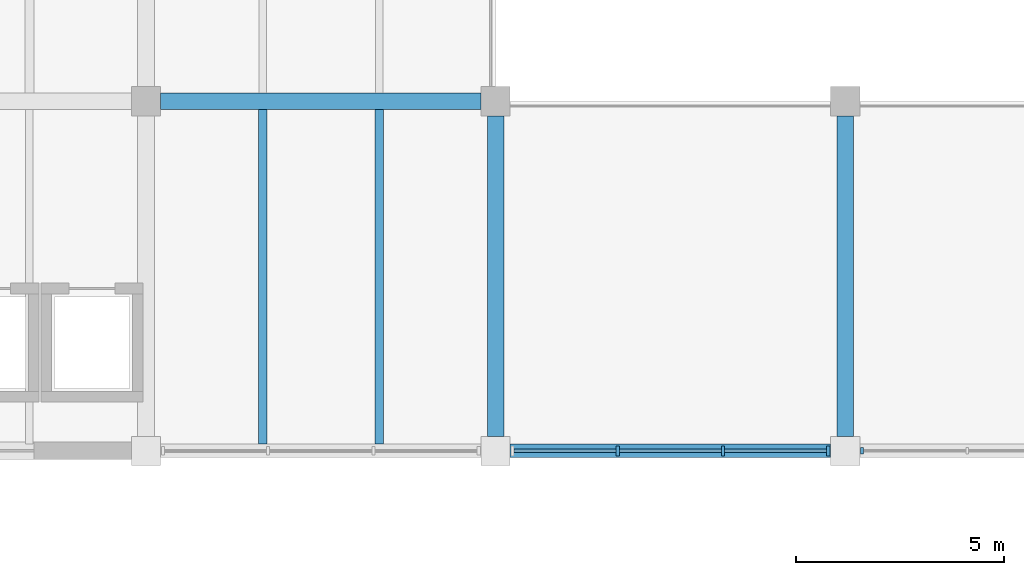
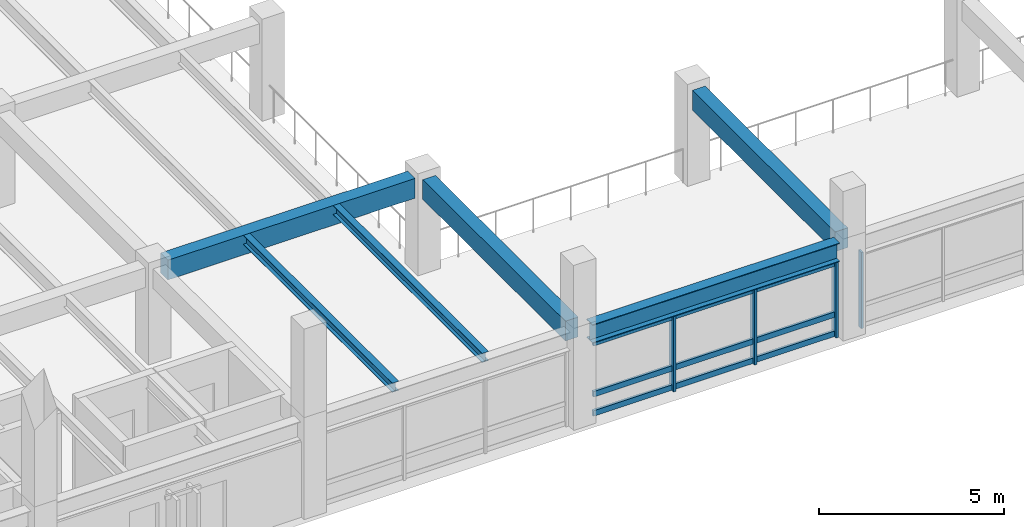
# One storey, part 22 of 123: 13 members, 6 beams, 2 elements without a shape of their own.
"""IFC4 building model written with IfcOpenShell, lengths in metres."""

from ifc_helpers import new_model, si_unit, direction, frame, origin, origin_2d, place, context, subcontext, project, spatial, rectangle, i_section, extrude, material, material_profile, profile_set, type_object, element, aggregate, save


model = new_model("IFC4")

# Units and contexts
model_context = context("Model", 3, precision=1e-05, world=origin(), true_north=direction((0.0, 1.0)))
body_context = subcontext(model_context, "Body", "Model", "MODEL_VIEW")
ifc_project = project(units=[si_unit("LENGTHUNIT", "METRE"), si_unit("AREAUNIT", "SQUARE_METRE"), si_unit("VOLUMEUNIT", "CUBIC_METRE"), si_unit("PLANEANGLEUNIT", "RADIAN"), si_unit("MASSUNIT", "GRAM", prefix="KILO")], contexts=[model_context])

# Site, building, storey
site_placement = place(None, origin())
site = spatial("IfcSite", under=ifc_project, at=site_placement, CompositionType="ELEMENT")
building_placement = place(site_placement, origin())
building = spatial("IfcBuilding", under=site, at=building_placement, Name="Cumbredor Promenade Congress Hotel", CompositionType="ELEMENT")
storey_placement = place(building_placement, frame((0.0, 0.0, 11.760009765625)))
storey = spatial("IfcBuildingStorey", under=building, at=storey_placement, Name="L03", CompositionType="ELEMENT", Elevation=11.760009765625)

# Beams
ifc_material_1 = material(Name="Concrete C40/50", Category="concrete")
ifc_material_profile_1 = material_profile(ifc_material_1, rectangle(XDim=0.39990234375, YDim=0.64990234375, at=origin_2d()), Name="RC BEAM 400x650")
ifc_profile_set_1 = profile_set([ifc_material_profile_1], Name="Concrete C40/50")
beam_type_1 = type_object("IfcBeamType", Name="BM-RC-400x650", PredefinedType="BEAM", material=ifc_profile_set_1)
for number, where, z_axis, x_axis, name in (
    (1, (109.550048828125, 92.39990234375, 2.794921875), (1.0, 0.0, 0.0), (0.0, 1.0, 0.0), "L04 X-Grid Beam 179"),
    (2, (117.60009765625, 84.35009765625, 2.794921875), (0.0, 1.0, 0.0), (-1.0, 0.0, 0.0), "L04 Y-Grid Beam 187"),
    (3, (126.0, 84.35009765625, 2.794921875), (0.0, 1.0, 0.0), (-1.0, 0.0, 0.0), "L04 Y-Grid Beam 191"),
):
    element("IfcBeam", number, at=place(storey_placement, frame(where, z_axis=z_axis, x_axis=x_axis)), inside=storey, type_object=beam_type_1, Name=name, PredefinedType="BEAM", context=body_context, shape_type="SweptSolid", body=[
        extrude(rectangle(XDim=0.39990234375, YDim=0.64990234375, at=origin_2d()), origin(), (0.0, 0.0, 1.0), 7.699951171875),
    ])
ifc_material_2 = material(Name="Steel ASTM A992 Grade 50", Category="steel")
ifc_material_profile_2 = material_profile(ifc_material_2, i_section(OverallWidth=0.323974609375, OverallDepth=0.611083984375, WebThickness=0.0126953125, FlangeThickness=0.01904296875, at=origin_2d()), Name="W24X104")
ifc_profile_set_2 = profile_set([ifc_material_profile_2], Name="Steel ASTM A992 Grade 50")
beam_type_2 = type_object("IfcBeamType", Name="BM-W24X104", PredefinedType="BEAM", material=ifc_profile_set_2)
beam_placement = place(storey_placement, frame((117.949951171875, 84.0, 2.814453125), z_axis=(1.0, 0.0, 0.0), x_axis=(0.0, 1.0, 0.0)))
element("IfcBeam", 4, at=beam_placement, inside=storey, type_object=beam_type_2, Name="L04 X-Grid Beam 186", PredefinedType="BEAM", context=body_context, shape_type="SweptSolid", body=[
    extrude(i_section(OverallWidth=0.323974609375, OverallDepth=0.611083984375, WebThickness=0.0126953125, FlangeThickness=0.01904296875, at=origin_2d()), origin(), (0.0, 0.0, 1.0), 7.699951171875),
])

# Curtain wall, member
ifc_material_3 = material(Name="Thermally broken anodized aluminium and low-E glass", Category="aluminium")
curtain_wall_type = type_object("IfcCurtainWallType", Name="Unitised Forum Curtain Wall CW-02", PredefinedType="NOTDEFINED", material=ifc_material_3)
curtain_wall_1_placement = place(storey_placement, origin())
curtain_wall_1 = element("IfcCurtainWall", 5, at=curtain_wall_1_placement, inside=storey, type_object=curtain_wall_type, Name="L03 Pre-Function and Breakout Meeting Forum South Curtain Wall 5", PredefinedType="NOTDEFINED")
ifc_material_4 = material(Name="Thermally broken anodized aluminium", Category="aluminium")
ifc_material_profile_3 = material_profile(ifc_material_4, rectangle(XDim=0.06494140625, YDim=0.159912109375, at=origin_2d()), Name="ALU MULLION 65x160")
ifc_profile_set_3 = profile_set([ifc_material_profile_3], Name="Thermally broken anodized aluminium")
member_type_1 = type_object("IfcMemberType", Name="Curtain Wall Mullion ML-01", PredefinedType="MULLION", material=ifc_profile_set_3)
member_1_placement = place(storey_placement, frame((126.405029296875, 84.0, -0.008056640625), z_axis=(0.0, 0.0, 1.0), x_axis=(1.0, 0.0, 0.0)))
member_1 = element("IfcMember", 6, at=member_1_placement, type_object=member_type_1, Name="L03 Pre-Function and Breakout Meeting Forum South Curtain Wall 5 Mullion 1", PredefinedType="MULLION", context=body_context, shape_type="SweptSolid", body=[
    extrude(rectangle(XDim=0.06494140625, YDim=0.159912109375, at=origin_2d()), origin(), (0.0, 0.0, 1.0), 2.510009765625),
])
aggregate(curtain_wall_1, [member_1])

# Curtain wall, members
curtain_wall_2_placement = place(storey_placement, origin())
curtain_wall_2 = element("IfcCurtainWall", 7, at=curtain_wall_2_placement, inside=storey, type_object=curtain_wall_type, Name="L03 Pre-Function and Breakout Meeting Forum South Curtain Wall 4", PredefinedType="NOTDEFINED")
ifc_material_profile_4 = material_profile(ifc_material_4, rectangle(XDim=0.080078125, YDim=0.239990234375, at=origin_2d()), Name="ALU MULLION 80x240")
ifc_profile_set_4 = profile_set([ifc_material_profile_4], Name="Thermally broken anodized aluminium")
member_type_2 = type_object("IfcMemberType", Name="Curtain Wall Mullion ML-03", PredefinedType="MULLION", material=ifc_profile_set_4)
member_2_placement = place(storey_placement, frame((120.534912109375, 84.0, -0.008056640625), z_axis=(0.0, 0.0, 1.0), x_axis=(1.0, 0.0, 0.0)))
member_2 = element("IfcMember", 8, at=member_2_placement, type_object=member_type_2, Name="L03 Pre-Function and Breakout Meeting Forum South Curtain Wall 4 Mullion 2", PredefinedType="MULLION", context=body_context, shape_type="SweptSolid", body=[
    extrude(rectangle(XDim=0.080078125, YDim=0.239990234375, at=origin_2d()), origin(), (0.0, 0.0, 1.0), 2.510009765625),
])
member_3_placement = place(storey_placement, frame((123.06494140625, 84.0, -0.008056640625), z_axis=(0.0, 0.0, 1.0), x_axis=(1.0, 0.0, 0.0)))
member_3 = element("IfcMember", 9, at=member_3_placement, type_object=member_type_2, Name="L03 Pre-Function and Breakout Meeting Forum South Curtain Wall 4 Mullion 3", PredefinedType="MULLION", context=body_context, shape_type="SweptSolid", body=[
    extrude(rectangle(XDim=0.080078125, YDim=0.239990234375, at=origin_2d()), origin(), (0.0, 0.0, 1.0), 2.510009765625),
])
member_4_placement = place(storey_placement, frame((125.594970703125, 84.0, -0.008056640625), z_axis=(0.0, 0.0, 1.0), x_axis=(1.0, 0.0, 0.0)))
member_4 = element("IfcMember", 10, at=member_4_placement, type_object=member_type_2, Name="L03 Pre-Function and Breakout Meeting Forum South Curtain Wall 4 Mullion 4", PredefinedType="MULLION", context=body_context, shape_type="SweptSolid", body=[
    extrude(rectangle(XDim=0.080078125, YDim=0.239990234375, at=origin_2d()), origin(), (0.0, 0.0, 1.0), 2.510009765625),
])
ifc_material_profile_5 = material_profile(ifc_material_4, rectangle(XDim=0.080078125, YDim=0.179931640625, at=origin_2d()), Name="ALU TRANSOM 80x180")
ifc_profile_set_5 = profile_set([ifc_material_profile_5], Name="Thermally broken anodized aluminium")
member_type_3 = type_object("IfcMemberType", Name="Curtain Wall Transom TR-03", PredefinedType="USERDEFINED", material=ifc_profile_set_5)
member_5_placement = place(storey_placement, frame((118.044921875, 84.0, 0.090087890625), z_axis=(1.0, 0.0, 0.0), x_axis=(0.0, 1.0, 0.0)))
member_5 = element("IfcMember", 11, at=member_5_placement, type_object=member_type_3, Name="L03 Pre-Function and Breakout Meeting Forum South Curtain Wall 4 Transom 1.1", ObjectType="TRANSOM", PredefinedType="USERDEFINED", context=body_context, shape_type="SweptSolid", body=[
    extrude(rectangle(XDim=0.080078125, YDim=0.179931640625, at=origin_2d()), origin(), (0.0, 0.0, 1.0), 2.4501953125),
])
member_6_placement = place(storey_placement, frame((118.044921875, 84.0, 0.719970703125), z_axis=(1.0, 0.0, 0.0), x_axis=(0.0, 1.0, 0.0)))
member_6 = element("IfcMember", 12, at=member_6_placement, type_object=member_type_3, Name="L03 Pre-Function and Breakout Meeting Forum South Curtain Wall 4 Transom 1.2", ObjectType="TRANSOM", PredefinedType="USERDEFINED", context=body_context, shape_type="SweptSolid", body=[
    extrude(rectangle(XDim=0.080078125, YDim=0.179931640625, at=origin_2d()), origin(), (0.0, 0.0, 1.0), 2.4501953125),
])
member_7_placement = place(storey_placement, frame((118.044921875, 84.0, 2.39990234375), z_axis=(1.0, 0.0, 0.0), x_axis=(0.0, 1.0, 0.0)))
member_7 = element("IfcMember", 13, at=member_7_placement, type_object=member_type_3, Name="L03 Pre-Function and Breakout Meeting Forum South Curtain Wall 4 Transom 1.3", ObjectType="TRANSOM", PredefinedType="USERDEFINED", context=body_context, shape_type="SweptSolid", body=[
    extrude(rectangle(XDim=0.080078125, YDim=0.179931640625, at=origin_2d()), origin(), (0.0, 0.0, 1.0), 2.4501953125),
])
member_8_placement = place(storey_placement, frame((120.574951171875, 84.0, 0.090087890625), z_axis=(1.0, 0.0, 0.0), x_axis=(0.0, 1.0, 0.0)))
member_8 = element("IfcMember", 14, at=member_8_placement, type_object=member_type_3, Name="L03 Pre-Function and Breakout Meeting Forum South Curtain Wall 4 Transom 2.1", ObjectType="TRANSOM", PredefinedType="USERDEFINED", context=body_context, shape_type="SweptSolid", body=[
    extrude(rectangle(XDim=0.080078125, YDim=0.179931640625, at=origin_2d()), origin(), (0.0, 0.0, 1.0), 2.449951171875),
])
member_9_placement = place(storey_placement, frame((120.574951171875, 84.0, 0.719970703125), z_axis=(1.0, 0.0, 0.0), x_axis=(0.0, 1.0, 0.0)))
member_9 = element("IfcMember", 15, at=member_9_placement, type_object=member_type_3, Name="L03 Pre-Function and Breakout Meeting Forum South Curtain Wall 4 Transom 2.2", ObjectType="TRANSOM", PredefinedType="USERDEFINED", context=body_context, shape_type="SweptSolid", body=[
    extrude(rectangle(XDim=0.080078125, YDim=0.179931640625, at=origin_2d()), origin(), (0.0, 0.0, 1.0), 2.449951171875),
])
member_10_placement = place(storey_placement, frame((120.574951171875, 84.0, 2.39990234375), z_axis=(1.0, 0.0, 0.0), x_axis=(0.0, 1.0, 0.0)))
member_10 = element("IfcMember", 16, at=member_10_placement, type_object=member_type_3, Name="L03 Pre-Function and Breakout Meeting Forum South Curtain Wall 4 Transom 2.3", ObjectType="TRANSOM", PredefinedType="USERDEFINED", context=body_context, shape_type="SweptSolid", body=[
    extrude(rectangle(XDim=0.080078125, YDim=0.179931640625, at=origin_2d()), origin(), (0.0, 0.0, 1.0), 2.449951171875),
])
member_11_placement = place(storey_placement, frame((123.10498046875, 84.0, 0.090087890625), z_axis=(1.0, 0.0, 0.0), x_axis=(0.0, 1.0, 0.0)))
member_11 = element("IfcMember", 17, at=member_11_placement, type_object=member_type_3, Name="L03 Pre-Function and Breakout Meeting Forum South Curtain Wall 4 Transom 3.1", ObjectType="TRANSOM", PredefinedType="USERDEFINED", context=body_context, shape_type="SweptSolid", body=[
    extrude(rectangle(XDim=0.080078125, YDim=0.179931640625, at=origin_2d()), origin(), (0.0, 0.0, 1.0), 2.449951171875),
])
member_12_placement = place(storey_placement, frame((123.10498046875, 84.0, 0.719970703125), z_axis=(1.0, 0.0, 0.0), x_axis=(0.0, 1.0, 0.0)))
member_12 = element("IfcMember", 18, at=member_12_placement, type_object=member_type_3, Name="L03 Pre-Function and Breakout Meeting Forum South Curtain Wall 4 Transom 3.2", ObjectType="TRANSOM", PredefinedType="USERDEFINED", context=body_context, shape_type="SweptSolid", body=[
    extrude(rectangle(XDim=0.080078125, YDim=0.179931640625, at=origin_2d()), origin(), (0.0, 0.0, 1.0), 2.449951171875),
])
member_13_placement = place(storey_placement, frame((123.10498046875, 84.0, 2.39990234375), z_axis=(1.0, 0.0, 0.0), x_axis=(0.0, 1.0, 0.0)))
member_13 = element("IfcMember", 19, at=member_13_placement, type_object=member_type_3, Name="L03 Pre-Function and Breakout Meeting Forum South Curtain Wall 4 Transom 3.3", ObjectType="TRANSOM", PredefinedType="USERDEFINED", context=body_context, shape_type="SweptSolid", body=[
    extrude(rectangle(XDim=0.080078125, YDim=0.179931640625, at=origin_2d()), origin(), (0.0, 0.0, 1.0), 2.449951171875),
])
aggregate(curtain_wall_2, [member_2, member_3, member_4, member_5, member_6, member_7, member_8, member_9, member_10, member_11, member_12, member_13])

# Beams
ifc_material_profile_6 = material_profile(ifc_material_2, i_section(OverallWidth=0.202880859375, OverallDepth=0.302978515625, WebThickness=0.007568359375, FlangeThickness=0.01318359375, at=origin_2d()), Name="W12X40")
ifc_profile_set_6 = profile_set([ifc_material_profile_6], Name="Steel ASTM A992 Grade 50")
beam_type_3 = type_object("IfcBeamType", Name="JST-W12X40", PredefinedType="JOIST", material=ifc_profile_set_6)
for number, where, z_axis, x_axis, name in (
    (20, (112.0, 84.162109375, 2.968505859375), (0.0, 1.0, 0.0), (-1.0, 0.0, 0.0), "L04 Secondary Floor Joist 0120"),
    (21, (114.800048828125, 84.162109375, 2.968505859375), (0.0, 1.0, 0.0), (-1.0, 0.0, 0.0), "L04 Secondary Floor Joist 0121"),
):
    element("IfcBeam", number, at=place(storey_placement, frame(where, z_axis=z_axis, x_axis=x_axis)), inside=storey, type_object=beam_type_3, Name=name, PredefinedType="JOIST", context=body_context, shape_type="SweptSolid", body=[
        extrude(i_section(OverallWidth=0.202880859375, OverallDepth=0.302978515625, WebThickness=0.007568359375, FlangeThickness=0.01318359375, at=origin_2d()), origin(), (0.0, 0.0, 1.0), 8.037841796875),
    ])

save(model, "model.ifc")
